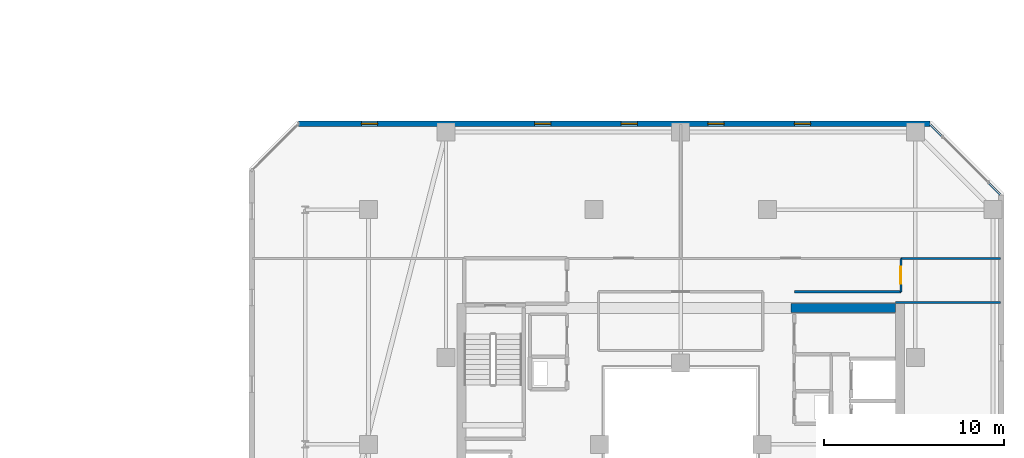
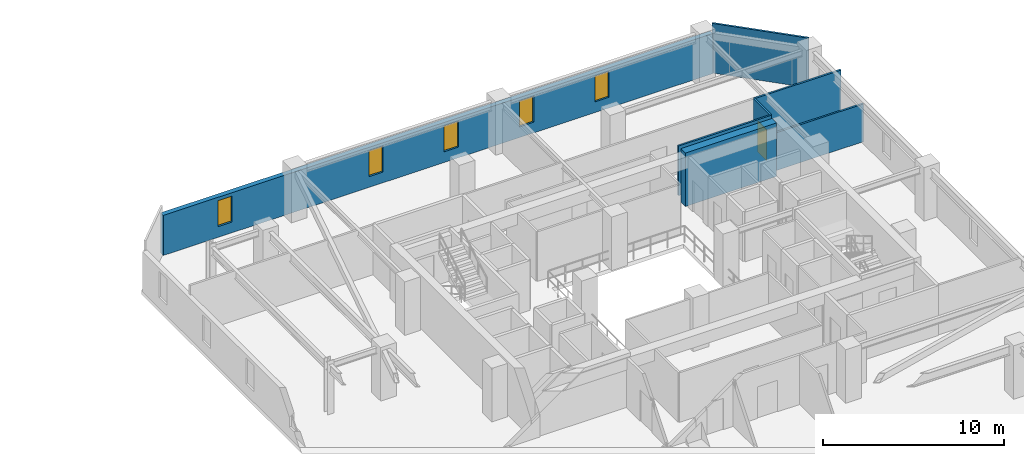
# One storey, part 26 of 33: 7 walls, 5 windows, 1 door, 6 openings.
"""IFC4 building model written with IfcOpenShell, lengths in metres."""

from ifc_helpers import new_model, si_unit, direction, frame, frame_2d, origin, place, context, subcontext, project, spatial, rectangle, extrude, material, layer, layer_set, type_object, element, fill, save


model = new_model("IFC4")

# Units and contexts
model_context = context("Model", 3, precision=1e-05, world=origin(), true_north=direction((0.0, 1.0)))
body_context = subcontext(model_context, "Body", "Model", "MODEL_VIEW")
ifc_project = project(units=[si_unit("LENGTHUNIT", "METRE"), si_unit("AREAUNIT", "SQUARE_METRE"), si_unit("VOLUMEUNIT", "CUBIC_METRE"), si_unit("PLANEANGLEUNIT", "RADIAN"), si_unit("MASSUNIT", "GRAM", prefix="KILO")], contexts=[model_context])

# Site, building, storey
site_placement = place(None, origin())
site = spatial("IfcSite", under=ifc_project, at=site_placement, CompositionType="ELEMENT")
building_placement = place(site_placement, origin())
building = spatial("IfcBuilding", under=site, at=building_placement, Name="Thornwick Lancets Civic Towers", CompositionType="ELEMENT")
storey_placement = place(building_placement, frame((0.0, 0.0, 203.699951171875)))
storey = spatial("IfcBuildingStorey", under=building, at=storey_placement, Name="L54", CompositionType="ELEMENT", Elevation=203.699951171875)

# Wall
ifc_material_1 = material(Name="Concrete C50/60", Category="concrete")
ifc_layer_1 = layer(ifc_material_1, 0.5, Name="Concrete C50/60")
ifc_layer_set_1 = layer_set([ifc_layer_1], Name="Concrete C50/60")
wall_type_1 = type_object("IfcWallType", Name="WALL_CORE_500", PredefinedType="SHEAR", material=ifc_layer_set_1)
wall_1_placement = place(storey_placement, frame((94.60009765625, 34.550048828125, 0.0), z_axis=(0.0, 0.0, 1.0), x_axis=(1.0, 0.0, 0.0)))
element("IfcWall", 1, at=wall_1_placement, inside=storey, type_object=wall_type_1, Name="L54 Split Core B1 Shear Wall N", PredefinedType="SHEAR", context=body_context, shape_type="SweptSolid", body=[
    extrude(rectangle(XDim=5.7998046875, YDim=0.5, at=frame_2d((2.89990234375, 0.0))), origin(), (0.0, 0.0, 1.0), 3.60009765625),
])

# Wall, openings, windows
ifc_material_2 = material(Name="Insulated russet terracotta rainscreen on concrete C40/50", Category="masonry")
ifc_layer_2 = layer(ifc_material_2, 0.300048828125, Name="Insulated russet terracotta rainscreen on concrete C40/50")
ifc_layer_set_2 = layer_set([ifc_layer_2], Name="Insulated russet terracotta rainscreen on concrete C40/50")
wall_type_2 = type_object("IfcWallType", Name="WALL_EXT_RUSSET_300", PredefinedType="STANDARD", material=ifc_layer_set_2)
wall_2_placement = place(storey_placement, frame((102.3017578125, 44.760009765625, 0.0), z_axis=(0.0, 0.0, 1.0), x_axis=(-0.999999991209, 0.000132597301, 0.0)))
wall_2 = element("IfcWall", 2, at=wall_2_placement, inside=storey, type_object=wall_type_2, Name="L54 Tower B Terracotta Facade Wall E4", PredefinedType="STANDARD", context=body_context, shape_type="SweptSolid", body=[
    extrude(rectangle(XDim=34.983154296875, YDim=0.300048828125, at=frame_2d((17.49169921875, 0.0))), origin(), (0.0, 0.0, 1.0), 2.699951171875),
])
opening_1_placement = place(wall_2_placement, frame((6.60009765625, 0.0, 0.719970703125)))
opening_1 = element("IfcOpeningElement", 3, at=opening_1_placement, cuts=wall_2, Name="Opening WL-01", PredefinedType="OPENING", context=body_context, shape_type="SweptSolid", body=[
    extrude(rectangle(XDim=0.89990234375, YDim=1.75, at=frame_2d((0.449951171875, 0.875))), frame((0.0, 0.16015625, 0.0), z_axis=(0.0, -1.0, 0.0), x_axis=(1.0, 0.0, 0.0)), (0.0, 0.0, 1.0), 0.320068359375),
])
opening_2_placement = place(wall_2_placement, frame((11.39990234375, 0.0, 0.719970703125)))
opening_2 = element("IfcOpeningElement", 4, at=opening_2_placement, cuts=wall_2, Name="Opening WL-01", PredefinedType="OPENING", context=body_context, shape_type="SweptSolid", body=[
    extrude(rectangle(XDim=0.89990234375, YDim=1.75, at=frame_2d((0.449951171875, 0.875))), frame((0.0, 0.16015625, 0.0), z_axis=(0.0, -1.0, 0.0), x_axis=(1.0, 0.0, 0.0)), (0.0, 0.0, 1.0), 0.320068359375),
])
opening_3_placement = place(wall_2_placement, frame((16.199951171875, 0.0, 0.719970703125)))
opening_3 = element("IfcOpeningElement", 5, at=opening_3_placement, cuts=wall_2, Name="Opening WL-01", PredefinedType="OPENING", context=body_context, shape_type="SweptSolid", body=[
    extrude(rectangle(XDim=0.89990234375, YDim=1.75, at=frame_2d((0.449951171875, 0.875))), frame((0.0, 0.16015625, 0.0), z_axis=(0.0, -1.0, 0.0), x_axis=(1.0, 0.0, 0.0)), (0.0, 0.0, 1.0), 0.320068359375),
])
opening_4_placement = place(wall_2_placement, frame((21.0, 0.0, 0.719970703125)))
opening_4 = element("IfcOpeningElement", 6, at=opening_4_placement, cuts=wall_2, Name="Opening WL-01", PredefinedType="OPENING", context=body_context, shape_type="SweptSolid", body=[
    extrude(rectangle(XDim=0.89990234375, YDim=1.75, at=frame_2d((0.449951171875, 0.875))), frame((0.0, 0.16015625, 0.0), z_axis=(0.0, -1.0, 0.0), x_axis=(1.0, 0.0, 0.0)), (0.0, 0.0, 1.0), 0.320068359375),
])
opening_5_placement = place(wall_2_placement, frame((30.60009765625, 0.0, 0.719970703125)))
opening_5 = element("IfcOpeningElement", 7, at=opening_5_placement, cuts=wall_2, Name="Opening WL-01", PredefinedType="OPENING", context=body_context, shape_type="SweptSolid", body=[
    extrude(rectangle(XDim=0.89990234375, YDim=1.75, at=frame_2d((0.449951171875, 0.875))), frame((0.0, 0.16015625, 0.0), z_axis=(0.0, -1.0, 0.0), x_axis=(1.0, 0.0, 0.0)), (0.0, 0.0, 1.0), 0.320068359375),
])
ifc_material_3 = material(Name="Clear low-e double glazing in bronze frame", Category="glass")
window_type = type_object("IfcWindowType", Name="WIN_LANCET_900", PartitioningType="SINGLE_PANEL", PredefinedType="WINDOW", material=ifc_material_3)
window_1_placement = place(opening_1_placement, origin())
window_1 = element("IfcWindow", 8, at=window_1_placement, inside=storey, type_object=window_type, Name="L54 Tower B Staggered Lancet Window E4-1", OverallHeight=1.75, OverallWidth=0.89990234375, PartitioningType="SINGLE_PANEL", PredefinedType="WINDOW", context=body_context, shape_type="SweptSolid", body=[
    extrude(rectangle(XDim=0.89990234375, YDim=1.75, at=frame_2d((0.449951171875, 0.875))), frame((0.0, 0.030029296875, 0.0), z_axis=(0.0, -1.0, 0.0), x_axis=(1.0, 0.0, 0.0)), (0.0, 0.0, 1.0), 0.06005859375),
])
fill(opening_1, window_1)
window_2_placement = place(opening_2_placement, origin())
window_2 = element("IfcWindow", 9, at=window_2_placement, inside=storey, type_object=window_type, Name="L54 Tower B Staggered Lancet Window E4-2", OverallHeight=1.75, OverallWidth=0.89990234375, PartitioningType="SINGLE_PANEL", PredefinedType="WINDOW", context=body_context, shape_type="SweptSolid", body=[
    extrude(rectangle(XDim=0.89990234375, YDim=1.75, at=frame_2d((0.449951171875, 0.875))), frame((0.0, 0.030029296875, 0.0), z_axis=(0.0, -1.0, 0.0), x_axis=(1.0, 0.0, 0.0)), (0.0, 0.0, 1.0), 0.06005859375),
])
fill(opening_2, window_2)
window_3_placement = place(opening_3_placement, origin())
window_3 = element("IfcWindow", 10, at=window_3_placement, inside=storey, type_object=window_type, Name="L54 Tower B Staggered Lancet Window E4-3", OverallHeight=1.75, OverallWidth=0.89990234375, PartitioningType="SINGLE_PANEL", PredefinedType="WINDOW", context=body_context, shape_type="SweptSolid", body=[
    extrude(rectangle(XDim=0.89990234375, YDim=1.75, at=frame_2d((0.449951171875, 0.875))), frame((0.0, 0.030029296875, 0.0), z_axis=(0.0, -1.0, 0.0), x_axis=(1.0, 0.0, 0.0)), (0.0, 0.0, 1.0), 0.06005859375),
])
fill(opening_3, window_3)
window_4_placement = place(opening_4_placement, origin())
window_4 = element("IfcWindow", 11, at=window_4_placement, inside=storey, type_object=window_type, Name="L54 Tower B Staggered Lancet Window E4-4", OverallHeight=1.75, OverallWidth=0.89990234375, PartitioningType="SINGLE_PANEL", PredefinedType="WINDOW", context=body_context, shape_type="SweptSolid", body=[
    extrude(rectangle(XDim=0.89990234375, YDim=1.75, at=frame_2d((0.449951171875, 0.875))), frame((0.0, 0.030029296875, 0.0), z_axis=(0.0, -1.0, 0.0), x_axis=(1.0, 0.0, 0.0)), (0.0, 0.0, 1.0), 0.06005859375),
])
fill(opening_4, window_4)
window_5_placement = place(opening_5_placement, origin())
window_5 = element("IfcWindow", 12, at=window_5_placement, inside=storey, type_object=window_type, Name="L54 Tower B Staggered Lancet Window E4-5", OverallHeight=1.75, OverallWidth=0.89990234375, PartitioningType="SINGLE_PANEL", PredefinedType="WINDOW", context=body_context, shape_type="SweptSolid", body=[
    extrude(rectangle(XDim=0.89990234375, YDim=1.75, at=frame_2d((0.449951171875, 0.875))), frame((0.0, 0.030029296875, 0.0), z_axis=(0.0, -1.0, 0.0), x_axis=(1.0, 0.0, 0.0)), (0.0, 0.0, 1.0), 0.06005859375),
])
fill(opening_5, window_5)

# Wall
ifc_material_4 = material(Name="Acoustic gypsum board partition")
ifc_layer_3 = layer(ifc_material_4, 0.1201171875, Name="Acoustic gypsum board partition")
ifc_layer_set_3 = layer_set([ifc_layer_3], Name="Acoustic gypsum board partition")
wall_type_3 = type_object("IfcWallType", Name="WALL_PART_120", PredefinedType="PARTITIONING", material=ifc_layer_set_3)
wall_3_placement = place(storey_placement, frame((94.800048828125, 35.449951171875, 0.0), z_axis=(0.0, 0.0, 1.0), x_axis=(1.0, 0.0, 0.0)))
element("IfcWall", 13, at=wall_3_placement, inside=storey, type_object=wall_type_3, Name="L54 Partition L54-B-RECLAIM-L E2", PredefinedType="PARTITIONING", context=body_context, shape_type="SweptSolid", body=[
    extrude(rectangle(XDim=5.89990234375, YDim=0.1201171875, at=frame_2d((2.949951171875, 0.0))), origin(), (0.0, 0.0, 1.0), 3.340087890625),
])

# Wall, opening, door
wall_4_placement = place(storey_placement, frame((100.699951171875, 35.449951171875, 0.0), z_axis=(0.0, 0.0, 1.0), x_axis=(0.0, 1.0, 0.0)))
wall_4 = element("IfcWall", 14, at=wall_4_placement, inside=storey, type_object=wall_type_3, Name="L54 Partition L54-B-RECLAIM-L E3", PredefinedType="PARTITIONING", context=body_context, shape_type="SweptSolid", body=[
    extrude(rectangle(XDim=1.85009765625, YDim=0.1201171875, at=frame_2d((0.925048828125, 0.0))), origin(), (0.0, 0.0, 1.0), 3.340087890625),
])
opening_6_placement = place(wall_4_placement, frame((0.449951171875, 0.0, 0.0)))
opening_6 = element("IfcOpeningElement", 15, at=opening_6_placement, cuts=wall_4, Name="Opening D-L54-2420", PredefinedType="OPENING", context=body_context, shape_type="SweptSolid", body=[
    extrude(rectangle(XDim=0.949951171875, YDim=2.10009765625, at=frame_2d((0.47509765625, 1.050048828125))), frame((0.0, 0.070068359375, 0.0), z_axis=(0.0, -1.0, 0.0), x_axis=(1.0, 0.0, 0.0)), (0.0, 0.0, 1.0), 0.14013671875),
])
ifc_material_5 = material(Name="European oak acoustic doorset")
door_type = type_object("IfcDoorType", Name="DOOR_OFFICE_950", OperationType="NOTDEFINED", PredefinedType="DOOR", material=ifc_material_5)
door_placement = place(opening_6_placement, origin())
door = element("IfcDoor", 16, at=door_placement, inside=storey, type_object=door_type, Name="L54 Tower B Parliamentary Drafting Library Door", OperationType="SINGLE_SWING_LEFT", OverallHeight=2.10009765625, OverallWidth=0.949951171875, PredefinedType="DOOR", context=body_context, shape_type="SweptSolid", body=[
    extrude(rectangle(XDim=0.949951171875, YDim=2.10009765625, at=frame_2d((0.47509765625, 1.050048828125))), frame((0.0, 0.02490234375, 0.0), z_axis=(0.0, -1.0, 0.0), x_axis=(1.0, 0.0, 0.0)), (0.0, 0.0, 1.0), 0.050048828125),
])
fill(opening_6, door)

# Walls
wall_5_placement = place(storey_placement, frame((100.699951171875, 37.300048828125, 0.0), z_axis=(0.0, 0.0, 1.0), x_axis=(1.0, 0.0, 0.0)))
element("IfcWall", 17, at=wall_5_placement, inside=storey, type_object=wall_type_3, Name="L54 Partition L54-B-RECLAIM-L E4", PredefinedType="PARTITIONING", context=body_context, shape_type="SweptSolid", body=[
    extrude(rectangle(XDim=5.52001953125, YDim=0.1201171875, at=frame_2d((2.760009765625, 0.0))), origin(), (0.0, 0.0, 1.0), 3.340087890625),
])
wall_6_placement = place(storey_placement, frame((106.219970703125, 34.85009765625, 0.0), z_axis=(0.0, 0.0, 1.0), x_axis=(-1.0, 0.0, 0.0)))
element("IfcWall", 18, at=wall_6_placement, inside=storey, type_object=wall_type_3, Name="L54 Partition L54-B-RECLAIM-L E6", PredefinedType="PARTITIONING", context=body_context, shape_type="SweptSolid", body=[
    extrude(rectangle(XDim=5.820068359375, YDim=0.1201171875, at=frame_2d((2.91015625, 0.0))), origin(), (0.0, 0.0, 1.0), 2.545166015625),
])
wall_7_placement = place(storey_placement, frame((102.34033203125, 44.719970703125, 0.0), z_axis=(0.0, 0.0, 1.0), x_axis=(0.707106781187, -0.707106781187, 0.0)))
element("IfcWall", 19, at=wall_7_placement, inside=storey, type_object=wall_type_3, Name="L54 Partition L54-B-E1 E4", PredefinedType="PARTITIONING", context=body_context, shape_type="SweptSolid", body=[
    extrude(rectangle(XDim=5.486572265625, YDim=0.1201171875, at=frame_2d((2.7431640625, 0.0))), origin(), (0.0, 0.0, 1.0), 3.340087890625),
])

save(model, "model.ifc")
